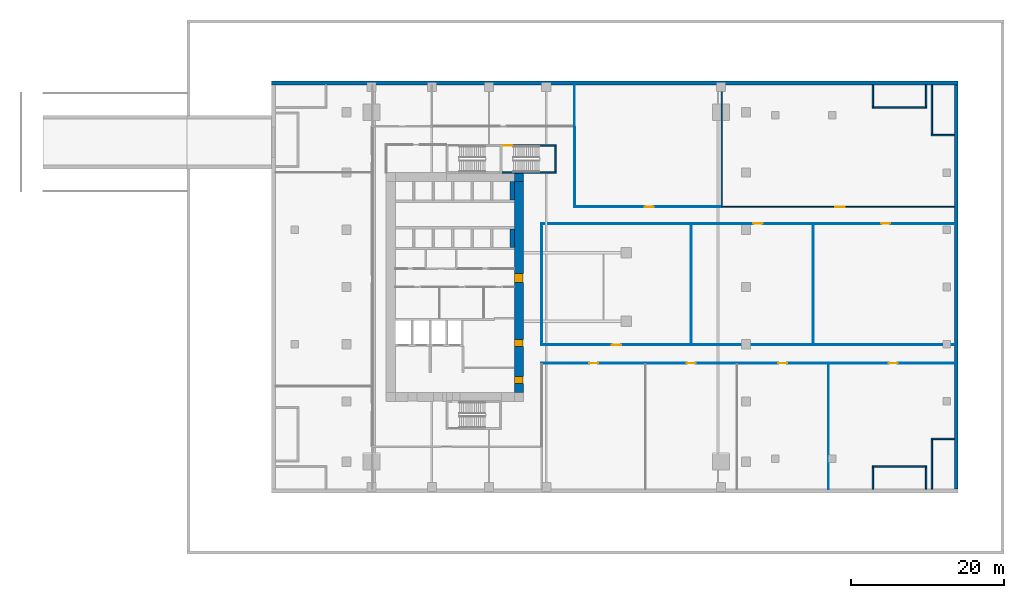
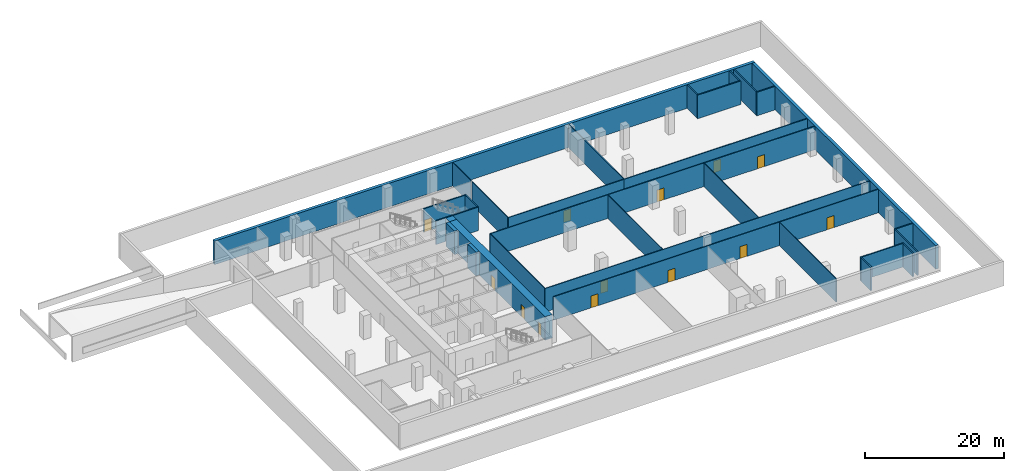
# One storey, part 7 of 11: 31 walls, 13 doors, 13 openings.
"""IFC4 building model written with IfcOpenShell, lengths in metres."""

import ifcopenshell
import ifcopenshell.guid

model = None  # the IFC model being written
_history = None  # IfcOwnerHistory: only IFC2X3 demands one
_inside = {}  # id of a spatial element -> (the spatial element, [elements in it])
_under = {}  # id of a project, library or spatial element -> (it, [spatial elements below it])
_declared = {}  # id of a project -> (the project, [libraries it declares])
_typed = {}  # id of a type object -> (the type object, [elements of that type])
_made_of = {}  # id of a material, layer set ... -> (it, [elements and type objects made of it])


def new_model(schema):
    """Start an empty IFC model of exactly this schema.

    Asked for "IFC4X3", IfcOpenShell would pick the latest addendum, in which some entities
    have other attributes; the version numbers below select the first issue.
    IFC2X3 requires an IfcOwnerHistory on every rooted entity: one is made here for all.
    """
    global model, _history
    if schema == "IFC4X3":
        model = ifcopenshell.file(schema_version=(4, 3, 0, 0))
    else:
        model = ifcopenshell.file(schema=schema)
    _inside.clear()
    _under.clear()
    _declared.clear()
    _typed.clear()
    _made_of.clear()
    _history = None
    if model.schema == "IFC2X3":
        org = make("IfcOrganization", Name="unknown")
        user = make(
            "IfcPersonAndOrganization",
            ThePerson=make("IfcPerson", FamilyName="unknown"),
            TheOrganization=org,
        )
        app = make(
            "IfcApplication",
            ApplicationDeveloper=org,
            Version="unknown",
            ApplicationFullName="unknown",
            ApplicationIdentifier="unknown",
        )
        _history = make(
            "IfcOwnerHistory",
            OwningUser=user,
            OwningApplication=app,
            ChangeAction="ADDED",
            CreationDate=0,
        )
    return model


def make(cls, **values):
    """One entity of the class cls with the attributes given. An attribute that is None is left unset."""
    return model.create_entity(
        cls, **{name: value for name, value in values.items() if value is not None}
    )


def rooted(cls, **values):
    """An entity with a GlobalId (a new one), such as an element, a storey or a relation."""
    return make(cls, GlobalId=ifcopenshell.guid.new(), OwnerHistory=_history, **values)


def si_unit(unit_type, name, prefix=None):
    """IfcSIUnit, for example si_unit("LENGTHUNIT", "METRE", prefix="MILLI")."""
    return make("IfcSIUnit", UnitType=unit_type, Prefix=prefix, Name=name)


def assignment(units):
    """IfcUnitAssignment: the units of a project."""
    return None if units is None else make("IfcUnitAssignment", Units=units)


def point(xyz):
    """IfcCartesianPoint."""
    return None if xyz is None else make("IfcCartesianPoint", Coordinates=xyz)


def direction(xyz):
    """IfcDirection."""
    return None if xyz is None else make("IfcDirection", DirectionRatios=xyz)


def frame(location, z_axis=None, x_axis=None):
    """IfcAxis2Placement3D, a coordinate frame: its origin and axes. An axis left out is left unset."""
    return make(
        "IfcAxis2Placement3D",
        Location=point(location),
        Axis=direction(z_axis),
        RefDirection=direction(x_axis),
    )


def frame_2d(location, x_axis=None):
    """IfcAxis2Placement2D, a coordinate frame in the plane: its origin and x axis."""
    return make(
        "IfcAxis2Placement2D", Location=point(location), RefDirection=direction(x_axis)
    )


def origin():
    """The frame at (0, 0, 0) with its axes left unset."""
    return frame((0.0, 0.0, 0.0))


def place(relative_to, where):
    """IfcLocalPlacement: puts the frame where relative to a parent placement (None: the world)."""
    return make(
        "IfcLocalPlacement", PlacementRelTo=relative_to, RelativePlacement=where
    )


def context(
    kind, dimensions, precision=None, world=None, true_north=None, identifier=None
):
    """IfcGeometricRepresentationContext, for example the 3D "Model" context."""
    return make(
        "IfcGeometricRepresentationContext",
        ContextIdentifier=identifier,
        ContextType=kind,
        CoordinateSpaceDimension=dimensions,
        Precision=precision,
        WorldCoordinateSystem=world,
        TrueNorth=true_north,
    )


def subcontext(parent, identifier, kind, view, scale=None):
    """IfcGeometricRepresentationSubContext, for example "Body" below "Model"."""
    return make(
        "IfcGeometricRepresentationSubContext",
        ContextIdentifier=identifier,
        ContextType=kind,
        ParentContext=parent,
        TargetScale=scale,
        TargetView=view,
    )


def project(units=None, contexts=None):
    """IfcProject with its units and contexts."""
    return rooted(
        "IfcProject",
        Name="project",
        RepresentationContexts=contexts,
        UnitsInContext=assignment(units),
    )


def spatial(cls, under=None, at=None, **own):
    """A site, building, storey or space (cls), placed at a placement, below another one or the project."""
    s = rooted(cls, ObjectPlacement=at, **own)
    if under is not None:
        _under.setdefault(under.id(), (under, []))[1].append(s)
    return s


def profile(cls, at=None, kind="AREA", **sizes):
    """A parametric profile (cls). Its sizes go by their IFC names, for example OverallWidth=200.0."""
    return make(cls, ProfileType=kind, Position=at, **sizes)


def rectangle(**sizes):
    """IfcRectangleProfileDef."""
    return profile("IfcRectangleProfileDef", **sizes)


def extrude(swept, where, along, depth):
    """IfcExtrudedAreaSolid: the profile swept, set in the frame where, extruded along a direction by depth."""
    return make(
        "IfcExtrudedAreaSolid",
        SweptArea=swept,
        Position=where,
        ExtrudedDirection=direction(along),
        Depth=depth,
    )


def shape(context_of_items, identifier, shape_type, items):
    """IfcShapeRepresentation: the items that make up one representation, for example the "Body"."""
    return make(
        "IfcShapeRepresentation",
        ContextOfItems=context_of_items,
        RepresentationIdentifier=identifier,
        RepresentationType=shape_type,
        Items=items,
    )


def source(mapping_origin, context_of_items, identifier, shape_type, items):
    """IfcRepresentationMap: a shape defined once, which mapped items show again and again."""
    return make(
        "IfcRepresentationMap",
        MappingOrigin=mapping_origin,
        MappedRepresentation=shape(context_of_items, identifier, shape_type, items),
    )


def transform(
    local_origin,
    x_axis=None,
    y_axis=None,
    z_axis=None,
    scale=None,
    scale2=None,
    scale3=None,
    uniform=True,
):
    """IfcCartesianTransformationOperator3D, or its non-uniform kind. x_axis, y_axis, z_axis: its Axis1, 2, 3."""
    if uniform:
        return make(
            "IfcCartesianTransformationOperator3D",
            Axis1=direction(x_axis),
            Axis2=direction(y_axis),
            LocalOrigin=point(local_origin),
            Scale=scale,
            Axis3=direction(z_axis),
        )
    return make(
        "IfcCartesianTransformationOperator3DnonUniform",
        Axis1=direction(x_axis),
        Axis2=direction(y_axis),
        LocalOrigin=point(local_origin),
        Scale=scale,
        Axis3=direction(z_axis),
        Scale2=scale2,
        Scale3=scale3,
    )


def mapped(mapping_source, mapping_target):
    """IfcMappedItem: shows the shape of a source again, moved by a transform."""
    return make(
        "IfcMappedItem", MappingSource=mapping_source, MappingTarget=mapping_target
    )


def material(Name=None, Category=None):
    """IfcMaterial."""
    return make("IfcMaterial", Name=Name, Category=Category)


def layer(
    of_material, thickness, ventilated=None, Name=None, Category=None, Priority=None
):
    """IfcMaterialLayer: one layer of a wall or slab, of a material (None: an air gap)."""
    return make(
        "IfcMaterialLayer",
        Material=of_material,
        LayerThickness=thickness,
        IsVentilated=ventilated,
        Name=Name,
        Category=Category,
        Priority=Priority,
    )


def layer_set(layers, Name=None):
    """IfcMaterialLayerSet."""
    return make("IfcMaterialLayerSet", MaterialLayers=layers, LayerSetName=Name)


def made_of(thing, what):
    """Note that an element or type object is made of a material, layer set ...; save() writes the relation."""
    if what is not None:
        _made_of.setdefault(what.id(), (what, []))[1].append(thing)
    return thing


def type_object(cls, material=None, **own):
    """A type object (cls), such as IfcWallType, which elements share."""
    return made_of(rooted(cls, **own), material)


def element(
    cls,
    number,
    at=None,
    inside=None,
    cuts=None,
    type_object=None,
    material=None,
    context=None,
    identifier="Body",
    shape_type=None,
    held_by="IfcProductDefinitionShape",
    body=None,
    shapes=None,
    **own,
):
    """One element of the class cls, such as IfcWall. Its Tag is "e" and its number.

    at: its placement. inside: the storey or other place that contains it. cuts: it is an
    opening in that element (IfcRelVoidsElement). A single representation is given by context,
    identifier, shape_type and body (its items); several are given by shapes. held_by: the class
    of the entity that holds the representations. save() writes the other relations.
    """
    e = rooted(cls, Tag="e%d" % number, ObjectPlacement=at, **own)
    if body is not None:
        shapes = [shape(context, identifier, shape_type, body)]
    if shapes is not None:
        e.Representation = make(held_by, Representations=shapes)
    if inside is not None:
        _inside.setdefault(inside.id(), (inside, []))[1].append(e)
    if cuts is not None:
        rooted(
            "IfcRelVoidsElement", RelatingBuildingElement=cuts, RelatedOpeningElement=e
        )
    if type_object is not None:
        _typed.setdefault(type_object.id(), (type_object, []))[1].append(e)
    return made_of(e, material)


def fill(opening, filler):
    """IfcRelFillsElement: the door or window that sits in an opening."""
    return rooted(
        "IfcRelFillsElement",
        RelatingOpeningElement=opening,
        RelatedBuildingElement=filler,
    )


def aggregate(whole, parts):
    """IfcRelAggregates: a whole, such as a stair, and the parts it consists of."""
    return rooted("IfcRelAggregates", RelatingObject=whole, RelatedObjects=parts)


def save(model, path):
    """Write the relations noted so far, then the file.

    IfcRelAggregates (storeys below a building ...), IfcRelContainedInSpatialStructure (elements
    in a storey), IfcRelDefinesByType, IfcRelAssociatesMaterial and IfcRelDeclares: one each for
    every whole, place, type object, material and project.
    """
    for whole, parts in _under.values():
        aggregate(whole, parts)
    for where, things in _inside.values():
        rooted(
            "IfcRelContainedInSpatialStructure",
            RelatedElements=things,
            RelatingStructure=where,
        )
    for kind, things in _typed.values():
        rooted("IfcRelDefinesByType", RelatedObjects=things, RelatingType=kind)
    for what, things in _made_of.values():
        rooted("IfcRelAssociatesMaterial", RelatedObjects=things, RelatingMaterial=what)
    for by, libraries in _declared.values():
        rooted("IfcRelDeclares", RelatingContext=by, RelatedDefinitions=libraries)
    model.write(path)


model = new_model("IFC4")

# Units and contexts
model_context = context("Model", 3, precision=1e-05, world=origin(), true_north=direction((0.0, 1.0)))
body_context = subcontext(model_context, "Body", "Model", "MODEL_VIEW")
ifc_project = project(units=[si_unit("LENGTHUNIT", "METRE"), si_unit("AREAUNIT", "SQUARE_METRE"), si_unit("VOLUMEUNIT", "CUBIC_METRE"), si_unit("PLANEANGLEUNIT", "RADIAN"), si_unit("MASSUNIT", "GRAM", prefix="KILO")], contexts=[model_context])

# Site, building, storey
site_placement = place(None, origin())
site = spatial("IfcSite", under=ifc_project, at=site_placement, CompositionType="ELEMENT")
building_placement = place(site_placement, origin())
building = spatial("IfcBuilding", under=site, at=building_placement, Name="Khomas Fold Tower", CompositionType="ELEMENT")
storey_placement = place(building_placement, frame((0.0, 0.0, -4.5)))
storey = spatial("IfcBuildingStorey", under=building, at=storey_placement, Name="B1", CompositionType="ELEMENT", Elevation=-4.5)

# Wall
ifc_material_1 = material(Name="Concrete C70/85", Category="concrete")
ifc_layer_1 = layer(ifc_material_1, 1.10009765625)
ifc_layer_set_1 = layer_set([ifc_layer_1], Name="Concrete C70/85")
wall_type_1 = type_object("IfcWallType", Name="Core corner wall 1100", PredefinedType="SHEAR", material=ifc_layer_set_1)
shared_shape_1 = source(origin(), body_context, "Body", "SweptSolid", [
    extrude(rectangle(XDim=1.199951171875, YDim=1.10009765625, at=frame_2d((0.60009765625, 0.0))), origin(), (0.0, 0.0, 1.0), 4.14990234375),
])
wall_1_placement = place(storey_placement, frame((22.800048828125, 41.35009765625, 0.0), z_axis=(0.0, 0.0, 1.0), x_axis=(1.0, 0.0, 0.0)))
element("IfcWall", 1, at=wall_1_placement, inside=storey, type_object=wall_type_1, Name="Core wall CW-L-NE-B2", PredefinedType="SHEAR", context=body_context, shape_type="MappedRepresentation", body=[
    mapped(shared_shape_1, transform((0.0, 0.0, 0.0))),
])

# Wall, openings, doors
ifc_material_2 = material(Name="Concrete C70/85", Category="concrete")
ifc_layer_2 = layer(ifc_material_2, 1.199951171875)
ifc_layer_set_2 = layer_set([ifc_layer_2], Name="Concrete C70/85")
wall_type_2 = type_object("IfcWallType", Name="Core wall 1200", PredefinedType="SHEAR", material=ifc_layer_set_2)
shared_shape_2 = source(origin(), body_context, "Body", "SweptSolid", [
    extrude(rectangle(XDim=27.60009765625, YDim=1.199951171875, at=frame_2d((13.800048828125, 0.0))), origin(), (0.0, 0.0, 1.0), 4.14990234375),
])
wall_2_placement = place(storey_placement, frame((23.39990234375, 13.199951171875, 0.0), z_axis=(0.0, 0.0, 1.0), x_axis=(0.0, 1.0, 0.0)))
wall_2 = element("IfcWall", 2, at=wall_2_placement, inside=storey, type_object=wall_type_2, Name="Core wall CW-L-E-B2", PredefinedType="SHEAR", context=body_context, shape_type="MappedRepresentation", body=[
    mapped(shared_shape_2, transform((0.0, 0.0, 0.0))),
])
shared_shape_3 = source(origin(), body_context, "Body", "SweptSolid", [
    extrude(rectangle(XDim=1.199951171875, YDim=2.10009765625, at=frame_2d((0.60009765625, 1.050048828125))), frame((0.0, 0.60986328125, 0.0), z_axis=(0.0, -1.0, 0.0), x_axis=(1.0, 0.0, 0.0)), (0.0, 0.0, 1.0), 1.219970703125),
])
opening_1_placement = place(wall_2_placement, frame((14.39990234375, 0.0, 0.0)))
opening_1 = element("IfcOpeningElement", 3, at=opening_1_placement, cuts=wall_2, Name="Opening 0001", PredefinedType="OPENING", context=body_context, shape_type="MappedRepresentation", body=[
    mapped(shared_shape_3, transform((0.0, 0.0, 0.0))),
])
shared_shape_4 = source(origin(), body_context, "Body", "SweptSolid", [
    extrude(rectangle(XDim=0.89990234375, YDim=2.10009765625, at=frame_2d((0.449951171875, 1.050048828125))), frame((0.0, 0.60986328125, 0.0), z_axis=(0.0, -1.0, 0.0), x_axis=(1.0, 0.0, 0.0)), (0.0, 0.0, 1.0), 1.219970703125),
])
opening_2_placement = place(wall_2_placement, frame((1.14990234375, 0.0, 0.0)))
opening_2 = element("IfcOpeningElement", 4, at=opening_2_placement, cuts=wall_2, Name="Opening 0008", PredefinedType="OPENING", context=body_context, shape_type="MappedRepresentation", body=[
    mapped(shared_shape_4, transform((0.0, 0.0, 0.0))),
])
opening_3_placement = place(wall_2_placement, frame((6.0, 0.0, 0.0)))
opening_3 = element("IfcOpeningElement", 5, at=opening_3_placement, cuts=wall_2, Name="Opening 0003", PredefinedType="OPENING", context=body_context, shape_type="MappedRepresentation", body=[
    mapped(shared_shape_4, transform((0.0, 0.0, 0.0))),
])
ifc_material_3 = material(Name="Timber door leaf", Category="wood")
door_type_1 = type_object("IfcDoorType", Name="Door 1200x2100 right-hand", OperationType="SINGLE_SWING_RIGHT", PredefinedType="DOOR", material=ifc_material_3)
shared_shape_5 = source(origin(), body_context, "Body", "SweptSolid", [
    extrude(rectangle(XDim=1.199951171875, YDim=2.10009765625, at=frame_2d((0.60009765625, 1.050048828125))), frame((0.0, 0.5498046875, 0.0), z_axis=(0.0, -1.0, 0.0), x_axis=(1.0, 0.0, 0.0)), (0.0, 0.0, 1.0), 1.099853515625),
])
door_1_placement = place(opening_1_placement, origin())
door_1 = element("IfcDoor", 6, at=door_1_placement, inside=storey, type_object=door_type_1, Name="Door", OperationType="SINGLE_SWING_RIGHT", OverallHeight=2.10009765625, OverallWidth=1.199951171875, PredefinedType="DOOR", context=body_context, shape_type="MappedRepresentation", body=[
    mapped(shared_shape_5, transform((0.0, 0.0, 0.0))),
])
fill(opening_1, door_1)
ifc_material_4 = material(Name="Timber door leaf", Category="wood")
door_type_2 = type_object("IfcDoorType", Name="Door 900x2100 right-hand", OperationType="SINGLE_SWING_RIGHT", PredefinedType="DOOR", material=ifc_material_4)
shared_shape_6 = source(origin(), body_context, "Body", "SweptSolid", [
    extrude(rectangle(XDim=0.89990234375, YDim=2.10009765625, at=frame_2d((0.449951171875, 1.050048828125))), frame((0.0, 0.5498046875, 0.0), z_axis=(0.0, -1.0, 0.0), x_axis=(1.0, 0.0, 0.0)), (0.0, 0.0, 1.0), 1.099853515625),
])
door_2_placement = place(opening_2_placement, origin())
door_2 = element("IfcDoor", 7, at=door_2_placement, inside=storey, type_object=door_type_2, Name="Door", OperationType="SINGLE_SWING_RIGHT", OverallHeight=2.10009765625, OverallWidth=0.89990234375, PredefinedType="DOOR", context=body_context, shape_type="MappedRepresentation", body=[
    mapped(shared_shape_6, transform((0.0, 0.0, 0.0))),
])
fill(opening_2, door_2)
ifc_material_5 = material(Name="Steel door leaf", Category="steel")
door_type_3 = type_object("IfcDoorType", Name="Plant room door 900x2100 right-hand", OperationType="SINGLE_SWING_RIGHT", PredefinedType="DOOR", material=ifc_material_5)
door_3_placement = place(opening_3_placement, origin())
door_3 = element("IfcDoor", 8, at=door_3_placement, inside=storey, type_object=door_type_3, Name="Plant room door", OperationType="SINGLE_SWING_RIGHT", OverallHeight=2.10009765625, OverallWidth=0.89990234375, PredefinedType="DOOR", context=body_context, shape_type="MappedRepresentation", body=[
    mapped(shared_shape_6, transform((0.0, 0.0, 0.0))),
])
fill(opening_3, door_3)

# Wall, opening, door
ifc_material_6 = material(Name="Concrete C50/60", Category="concrete")
ifc_layer_3 = layer(ifc_material_6, 0.199951171875)
ifc_layer_set_3 = layer_set([ifc_layer_3], Name="Concrete C50/60")
wall_type_3 = type_object("IfcWallType", Name="Stair wall 200", PredefinedType="SHEAR", material=ifc_layer_set_3)
shared_shape_7 = source(origin(), body_context, "Body", "SweptSolid", [
    extrude(rectangle(XDim=7.10009765625, YDim=0.199951171875, at=frame_2d((3.550048828125, 0.0))), origin(), (0.0, 0.0, 1.0), 4.14990234375),
])
wall_3_placement = place(storey_placement, frame((21.199951171875, 45.550048828125, 0.0), z_axis=(0.0, 0.0, 1.0), x_axis=(1.0, 0.0, 0.0)))
wall_3 = element("IfcWall", 9, at=wall_3_placement, inside=storey, type_object=wall_type_3, Name="Stair wall SW-ST3-N", PredefinedType="SHEAR", context=body_context, shape_type="MappedRepresentation", body=[
    mapped(shared_shape_7, transform((0.0, 0.0, 0.0))),
])
shared_shape_8 = source(origin(), body_context, "Body", "SweptSolid", [
    extrude(rectangle(XDim=1.199951171875, YDim=2.10009765625, at=frame_2d((0.60009765625, 1.050048828125))), frame((0.0, 0.10986328125, 0.0), z_axis=(0.0, -1.0, 0.0), x_axis=(1.0, 0.0, 0.0)), (0.0, 0.0, 1.0), 0.219970703125),
])
opening_4_placement = place(wall_3_placement, frame((0.14990234375, 0.0, 0.0)))
opening_4 = element("IfcOpeningElement", 10, at=opening_4_placement, cuts=wall_3, Name="Opening SD-ST3", PredefinedType="OPENING", context=body_context, shape_type="MappedRepresentation", body=[
    mapped(shared_shape_8, transform((0.0, 0.0, 0.0))),
])
ifc_material_7 = material(Name="Steel door leaf", Category="steel")
door_type_4 = type_object("IfcDoorType", Name="Stair door 1200x2100 left-hand", OperationType="SINGLE_SWING_LEFT", PredefinedType="DOOR", material=ifc_material_7)
shared_shape_9 = source(origin(), body_context, "Body", "SweptSolid", [
    extrude(rectangle(XDim=1.199951171875, YDim=2.10009765625, at=frame_2d((0.60009765625, 1.050048828125))), frame((0.0, 0.02490234375, 0.0), z_axis=(0.0, -1.0, 0.0), x_axis=(1.0, 0.0, 0.0)), (0.0, 0.0, 1.0), 0.050048828125),
])
door_4_placement = place(opening_4_placement, origin())
door_4 = element("IfcDoor", 11, at=door_4_placement, inside=storey, type_object=door_type_4, Name="Stair door", OperationType="SINGLE_SWING_LEFT", OverallHeight=2.10009765625, OverallWidth=1.199951171875, PredefinedType="DOOR", context=body_context, shape_type="MappedRepresentation", body=[
    mapped(shared_shape_9, transform((0.0, 0.0, 0.0))),
])
fill(opening_4, door_4)

# Walls
wall_4_placement = place(storey_placement, frame((21.199951171875, 42.0, 0.0), z_axis=(0.0, 0.0, 1.0), x_axis=(1.0, 0.0, 0.0)))
element("IfcWall", 12, at=wall_4_placement, inside=storey, type_object=wall_type_3, Name="Stair wall SW-ST3-S", PredefinedType="SHEAR", context=body_context, shape_type="MappedRepresentation", body=[
    mapped(shared_shape_7, transform((0.0, 0.0, 0.0))),
])
shared_shape_10 = source(origin(), body_context, "Body", "SweptSolid", [
    extrude(rectangle(XDim=3.349853515625, YDim=0.199951171875, at=frame_2d((1.6748046875, 0.0))), origin(), (0.0, 0.0, 1.0), 4.14990234375),
])
wall_5_placement = place(storey_placement, frame((28.199951171875, 42.10009765625, 0.0), z_axis=(0.0, 0.0, 1.0), x_axis=(0.0, 1.0, 0.0)))
element("IfcWall", 13, at=wall_5_placement, inside=storey, type_object=wall_type_3, Name="Stair wall SW-ST3-E", PredefinedType="SHEAR", context=body_context, shape_type="MappedRepresentation", body=[
    mapped(shared_shape_10, transform((0.0, 0.0, 0.0))),
])
ifc_material_8 = material(Name="Concrete C50/60", Category="concrete")
ifc_layer_4 = layer(ifc_material_8, 0.550048828125)
ifc_layer_set_4 = layer_set([ifc_layer_4], Name="Concrete C50/60")
wall_type_4 = type_object("IfcWallType", Name="Shaft wall 550", PredefinedType="STANDARD", material=ifc_layer_set_4)
shared_shape_11 = source(origin(), body_context, "Body", "SweptSolid", [
    extrude(rectangle(XDim=2.400146484375, YDim=0.550048828125, at=frame_2d((1.2001953125, 0.0))), origin(), (0.0, 0.0, 1.0), 4.14990234375),
])
for number, where, z_axis, x_axis, name in (
    (14, (22.52490234375, 38.39990234375, 0.0), (0.0, 0.0, 1.0), (0.0, 1.0, 0.0), "Core wall SW-LRN-PE"),
    (15, (22.52490234375, 32.199951171875, 0.0), (0.0, 0.0, 1.0), (0.0, 1.0, 0.0), "Core wall SW-LRS-PE"),
):
    element("IfcWall", number, at=place(storey_placement, frame(where, z_axis=z_axis, x_axis=x_axis)), inside=storey, type_object=wall_type_4, Name=name, PredefinedType="STANDARD", context=body_context, shape_type="MappedRepresentation", body=[
        mapped(shared_shape_11, transform((0.0, 0.0, 0.0))),
    ])
ifc_material_9 = material(Name="Concrete C40/50", Category="concrete")
ifc_layer_5 = layer(ifc_material_9, 0.5)
ifc_layer_set_5 = layer_set([ifc_layer_5], Name="Concrete C40/50")
wall_type_5 = type_object("IfcWallType", Name="Basement wall 500", PredefinedType="STANDARD", material=ifc_layer_set_5)
shared_shape_12 = source(origin(), body_context, "Body", "SweptSolid", [
    extrude(rectangle(XDim=90.0, YDim=0.5, at=frame_2d((45.0, 0.0))), origin(), (0.0, 0.0, 1.0), 4.14990234375),
])
wall_6_placement = place(storey_placement, frame((-9.0, 53.75, 0.0), z_axis=(0.0, 0.0, 1.0), x_axis=(1.0, 0.0, 0.0)))
element("IfcWall", 16, at=wall_6_placement, inside=storey, type_object=wall_type_5, Name="Basement wall N", PredefinedType="STANDARD", context=body_context, shape_type="MappedRepresentation", body=[
    mapped(shared_shape_12, transform((0.0, 0.0, 0.0))),
])
shared_shape_13 = source(origin(), body_context, "Body", "SweptSolid", [
    extrude(rectangle(XDim=53.0, YDim=0.5, at=frame_2d((26.5, 0.0))), origin(), (0.0, 0.0, 1.0), 4.14990234375),
])
wall_7_placement = place(storey_placement, frame((80.75, 0.5, 0.0), z_axis=(0.0, 0.0, 1.0), x_axis=(0.0, 1.0, 0.0)))
element("IfcWall", 17, at=wall_7_placement, inside=storey, type_object=wall_type_5, Name="Basement wall E", PredefinedType="STANDARD", context=body_context, shape_type="MappedRepresentation", body=[
    mapped(shared_shape_13, transform((0.0, 0.0, 0.0))),
])
ifc_material_10 = material(Name="Plasterboard partition")
ifc_layer_6 = layer(ifc_material_10, 0.10009765625)
ifc_layer_set_6 = layer_set([ifc_layer_6], Name="Plasterboard partition")
wall_type_6 = type_object("IfcWallType", Name="Partition PW1 100", PredefinedType="PARTITIONING", material=ifc_layer_set_6)
shared_shape_14 = source(origin(), body_context, "Body", "SweptSolid", [
    extrude(rectangle(XDim=16.39990234375, YDim=0.10009765625, at=frame_2d((8.199951171875, 0.0))), origin(), (0.0, 0.0, 1.0), 4.14990234375),
])
wall_8_placement = place(storey_placement, frame((64.0, 0.5, 0.0), z_axis=(0.0, 0.0, 1.0), x_axis=(0.0, 1.0, 0.0)))
element("IfcWall", 18, at=wall_8_placement, inside=storey, type_object=wall_type_6, Name="Partition", PredefinedType="PARTITIONING", context=body_context, shape_type="MappedRepresentation", body=[
    mapped(shared_shape_14, transform((0.0, 0.0, 0.0))),
])

# Wall, openings, doors
ifc_material_11 = material(Name="Plasterboard partition")
ifc_layer_7 = layer(ifc_material_11, 0.125)
ifc_layer_set_7 = layer_set([ifc_layer_7], Name="Plasterboard partition")
wall_type_7 = type_object("IfcWallType", Name="Partition PW2 125", PredefinedType="PARTITIONING", material=ifc_layer_set_7)
shared_shape_15 = source(origin(), body_context, "Body", "SweptSolid", [
    extrude(rectangle(XDim=54.14990234375, YDim=0.125, at=frame_2d((27.074951171875, 0.0))), origin(), (0.0, 0.0, 1.0), 4.14990234375),
])
wall_9_placement = place(storey_placement, frame((26.35009765625, 17.0, 0.0), z_axis=(0.0, 0.0, 1.0), x_axis=(1.0, 0.0, 0.0)))
wall_9 = element("IfcWall", 19, at=wall_9_placement, inside=storey, type_object=wall_type_7, Name="Partition", PredefinedType="PARTITIONING", context=body_context, shape_type="MappedRepresentation", body=[
    mapped(shared_shape_15, transform((0.0, 0.0, 0.0))),
])
shared_shape_16 = source(origin(), body_context, "Body", "SweptSolid", [
    extrude(rectangle(XDim=1.199951171875, YDim=2.10009765625, at=frame_2d((0.60009765625, 1.050048828125))), frame((0.0, 0.072509765625, 0.0), z_axis=(0.0, -1.0, 0.0), x_axis=(1.0, 0.0, 0.0)), (0.0, 0.0, 1.0), 0.14501953125),
])
opening_5_placement = place(wall_9_placement, frame((6.25, 0.0, 0.0)))
opening_5 = element("IfcOpeningElement", 20, at=opening_5_placement, cuts=wall_9, Name="Opening 0013", PredefinedType="OPENING", context=body_context, shape_type="MappedRepresentation", body=[
    mapped(shared_shape_16, transform((0.0, 0.0, 0.0))),
])
opening_6_placement = place(wall_9_placement, frame((19.050048828125, 0.0, 0.0)))
opening_6 = element("IfcOpeningElement", 21, at=opening_6_placement, cuts=wall_9, Name="Opening 0001", PredefinedType="OPENING", context=body_context, shape_type="MappedRepresentation", body=[
    mapped(shared_shape_16, transform((0.0, 0.0, 0.0))),
])
opening_7_placement = place(wall_9_placement, frame((31.050048828125, 0.0, 0.0)))
opening_7 = element("IfcOpeningElement", 22, at=opening_7_placement, cuts=wall_9, Name="Opening 0013", PredefinedType="OPENING", context=body_context, shape_type="MappedRepresentation", body=[
    mapped(shared_shape_16, transform((0.0, 0.0, 0.0))),
])
opening_8_placement = place(wall_9_placement, frame((45.550048828125, 0.0, 0.0)))
opening_8 = element("IfcOpeningElement", 23, at=opening_8_placement, cuts=wall_9, Name="Opening 0001", PredefinedType="OPENING", context=body_context, shape_type="MappedRepresentation", body=[
    mapped(shared_shape_16, transform((0.0, 0.0, 0.0))),
])
ifc_material_12 = material(Name="Timber door leaf", Category="wood")
door_type_5 = type_object("IfcDoorType", Name="Door 1200x2100 left-hand", OperationType="SINGLE_SWING_LEFT", PredefinedType="DOOR", material=ifc_material_12)
door_5_placement = place(opening_5_placement, origin())
door_5 = element("IfcDoor", 24, at=door_5_placement, inside=storey, type_object=door_type_5, Name="Door", OperationType="SINGLE_SWING_LEFT", OverallHeight=2.10009765625, OverallWidth=1.199951171875, PredefinedType="DOOR", context=body_context, shape_type="MappedRepresentation", body=[
    mapped(shared_shape_9, transform((0.0, 0.0, 0.0))),
])
fill(opening_5, door_5)
door_6_placement = place(opening_6_placement, origin())
door_6 = element("IfcDoor", 25, at=door_6_placement, inside=storey, type_object=door_type_1, Name="Door", OperationType="SINGLE_SWING_RIGHT", OverallHeight=2.10009765625, OverallWidth=1.199951171875, PredefinedType="DOOR", context=body_context, shape_type="MappedRepresentation", body=[
    mapped(shared_shape_9, transform((0.0, 0.0, 0.0))),
])
fill(opening_6, door_6)
door_7_placement = place(opening_7_placement, origin())
door_7 = element("IfcDoor", 26, at=door_7_placement, inside=storey, type_object=door_type_5, Name="Door", OperationType="SINGLE_SWING_LEFT", OverallHeight=2.10009765625, OverallWidth=1.199951171875, PredefinedType="DOOR", context=body_context, shape_type="MappedRepresentation", body=[
    mapped(shared_shape_9, transform((0.0, 0.0, 0.0))),
])
fill(opening_7, door_7)
door_8_placement = place(opening_8_placement, origin())
door_8 = element("IfcDoor", 27, at=door_8_placement, inside=storey, type_object=door_type_1, Name="Door", OperationType="SINGLE_SWING_RIGHT", OverallHeight=2.10009765625, OverallWidth=1.199951171875, PredefinedType="DOOR", context=body_context, shape_type="MappedRepresentation", body=[
    mapped(shared_shape_9, transform((0.0, 0.0, 0.0))),
])
fill(opening_8, door_8)

# Wall, opening, door
wall_10_placement = place(storey_placement, frame((26.35009765625, 19.39990234375, 0.0), z_axis=(0.0, 0.0, 1.0), x_axis=(1.0, 0.0, 0.0)))
wall_10 = element("IfcWall", 28, at=wall_10_placement, inside=storey, type_object=wall_type_7, Name="Partition", PredefinedType="PARTITIONING", context=body_context, shape_type="MappedRepresentation", body=[
    mapped(shared_shape_15, transform((0.0, 0.0, 0.0))),
])
opening_9_placement = place(wall_10_placement, frame((9.25, 0.0, 0.0)))
opening_9 = element("IfcOpeningElement", 29, at=opening_9_placement, cuts=wall_10, Name="Opening 0001", PredefinedType="OPENING", context=body_context, shape_type="MappedRepresentation", body=[
    mapped(shared_shape_16, transform((0.0, 0.0, 0.0))),
])
door_9_placement = place(opening_9_placement, origin())
door_9 = element("IfcDoor", 30, at=door_9_placement, inside=storey, type_object=door_type_1, Name="Door", OperationType="SINGLE_SWING_RIGHT", OverallHeight=2.10009765625, OverallWidth=1.199951171875, PredefinedType="DOOR", context=body_context, shape_type="MappedRepresentation", body=[
    mapped(shared_shape_9, transform((0.0, 0.0, 0.0))),
])
fill(opening_9, door_9)

# Wall, openings, doors
wall_11_placement = place(storey_placement, frame((26.35009765625, 35.300048828125, 0.0), z_axis=(0.0, 0.0, 1.0), x_axis=(1.0, 0.0, 0.0)))
wall_11 = element("IfcWall", 31, at=wall_11_placement, inside=storey, type_object=wall_type_7, Name="Partition", PredefinedType="PARTITIONING", context=body_context, shape_type="MappedRepresentation", body=[
    mapped(shared_shape_15, transform((0.0, 0.0, 0.0))),
])
opening_10_placement = place(wall_11_placement, frame((27.800048828125, 0.0, 0.0)))
opening_10 = element("IfcOpeningElement", 32, at=opening_10_placement, cuts=wall_11, Name="Opening 0001", PredefinedType="OPENING", context=body_context, shape_type="MappedRepresentation", body=[
    mapped(shared_shape_16, transform((0.0, 0.0, 0.0))),
])
opening_11_placement = place(wall_11_placement, frame((44.550048828125, 0.0, 0.0)))
opening_11 = element("IfcOpeningElement", 33, at=opening_11_placement, cuts=wall_11, Name="Opening 0013", PredefinedType="OPENING", context=body_context, shape_type="MappedRepresentation", body=[
    mapped(shared_shape_16, transform((0.0, 0.0, 0.0))),
])
door_10_placement = place(opening_10_placement, origin())
door_10 = element("IfcDoor", 34, at=door_10_placement, inside=storey, type_object=door_type_1, Name="Door", OperationType="SINGLE_SWING_RIGHT", OverallHeight=2.10009765625, OverallWidth=1.199951171875, PredefinedType="DOOR", context=body_context, shape_type="MappedRepresentation", body=[
    mapped(shared_shape_9, transform((0.0, 0.0, 0.0))),
])
fill(opening_10, door_10)
door_11_placement = place(opening_11_placement, origin())
door_11 = element("IfcDoor", 35, at=door_11_placement, inside=storey, type_object=door_type_5, Name="Door", OperationType="SINGLE_SWING_LEFT", OverallHeight=2.10009765625, OverallWidth=1.199951171875, PredefinedType="DOOR", context=body_context, shape_type="MappedRepresentation", body=[
    mapped(shared_shape_9, transform((0.0, 0.0, 0.0))),
])
fill(opening_11, door_11)

# Walls
shared_shape_17 = source(origin(), body_context, "Body", "SweptSolid", [
    extrude(rectangle(XDim=15.699951171875, YDim=0.125, at=frame_2d((7.85009765625, 0.0))), origin(), (0.0, 0.0, 1.0), 4.14990234375),
])
wall_12_placement = place(storey_placement, frame((26.39990234375, 19.5, 0.0), z_axis=(0.0, 0.0, 1.0), x_axis=(0.0, 1.0, 0.0)))
element("IfcWall", 36, at=wall_12_placement, inside=storey, type_object=wall_type_7, Name="Partition", PredefinedType="PARTITIONING", context=body_context, shape_type="MappedRepresentation", body=[
    mapped(shared_shape_17, transform((0.0, 0.0, 0.0))),
])
shared_shape_18 = source(origin(), body_context, "Body", "SweptSolid", [
    extrude(rectangle(XDim=15.699951171875, YDim=0.10009765625, at=frame_2d((7.85009765625, 0.0))), origin(), (0.0, 0.0, 1.0), 4.14990234375),
])
for number, where, z_axis, x_axis, name in (
    (37, (46.0, 19.5, 0.0), (0.0, 0.0, 1.0), (0.0, 1.0, 0.0), "Partition"),
    (38, (62.0, 19.5, 0.0), (0.0, 0.0, 1.0), (0.0, 1.0, 0.0), "Partition"),
):
    element("IfcWall", number, at=place(storey_placement, frame(where, z_axis=z_axis, x_axis=x_axis)), inside=storey, type_object=wall_type_6, Name=name, PredefinedType="PARTITIONING", context=body_context, shape_type="MappedRepresentation", body=[
        mapped(shared_shape_18, transform((0.0, 0.0, 0.0))),
    ])

# Wall, opening, door
shared_shape_19 = source(origin(), body_context, "Body", "SweptSolid", [
    extrude(rectangle(XDim=19.300048828125, YDim=0.125, at=frame_2d((9.64990234375, 0.0))), origin(), (0.0, 0.0, 1.0), 4.14990234375),
])
wall_13_placement = place(storey_placement, frame((30.64990234375, 37.5, 0.0), z_axis=(0.0, 0.0, 1.0), x_axis=(1.0, 0.0, 0.0)))
wall_13 = element("IfcWall", 39, at=wall_13_placement, inside=storey, type_object=wall_type_7, Name="Partition", PredefinedType="PARTITIONING", context=body_context, shape_type="MappedRepresentation", body=[
    mapped(shared_shape_19, transform((0.0, 0.0, 0.0))),
])
opening_12_placement = place(wall_13_placement, frame((9.25, 0.0, 0.0)))
opening_12 = element("IfcOpeningElement", 40, at=opening_12_placement, cuts=wall_13, Name="Opening 0013", PredefinedType="OPENING", context=body_context, shape_type="MappedRepresentation", body=[
    mapped(shared_shape_16, transform((0.0, 0.0, 0.0))),
])
door_12_placement = place(opening_12_placement, origin())
door_12 = element("IfcDoor", 41, at=door_12_placement, inside=storey, type_object=door_type_5, Name="Door", OperationType="SINGLE_SWING_LEFT", OverallHeight=2.10009765625, OverallWidth=1.199951171875, PredefinedType="DOOR", context=body_context, shape_type="MappedRepresentation", body=[
    mapped(shared_shape_9, transform((0.0, 0.0, 0.0))),
])
fill(opening_12, door_12)

ifc_material_13 = material(Name="Plasterboard fire partition")
ifc_layer_8 = layer(ifc_material_13, 0.14990234375)
ifc_layer_set_8 = layer_set([ifc_layer_8], Name="Plasterboard fire partition")
wall_type_8 = type_object("IfcWallType", Name="Plant room wall PW3 150", PredefinedType="PARTITIONING", material=ifc_layer_set_8)
shared_shape_20 = source(origin(), body_context, "Body", "SweptSolid", [
    extrude(rectangle(XDim=30.550048828125, YDim=0.14990234375, at=frame_2d((15.27490234375, 0.0))), origin(), (0.0, 0.0, 1.0), 4.14990234375),
])
wall_14_placement = place(storey_placement, frame((49.949951171875, 37.5, 0.0), z_axis=(0.0, 0.0, 1.0), x_axis=(1.0, 0.0, 0.0)))
wall_14 = element("IfcWall", 42, at=wall_14_placement, inside=storey, type_object=wall_type_8, Name="Plant room wall", PredefinedType="PARTITIONING", context=body_context, shape_type="MappedRepresentation", body=[
    mapped(shared_shape_20, transform((0.0, 0.0, 0.0))),
])
shared_shape_21 = source(origin(), body_context, "Body", "SweptSolid", [
    extrude(rectangle(XDim=1.199951171875, YDim=2.10009765625, at=frame_2d((0.60009765625, 1.050048828125))), frame((0.0, 0.0849609375, 0.0), z_axis=(0.0, -1.0, 0.0), x_axis=(1.0, 0.0, 0.0)), (0.0, 0.0, 1.0), 0.169921875),
])
opening_13_placement = place(wall_14_placement, frame((14.949951171875, 0.0, 0.0)))
opening_13 = element("IfcOpeningElement", 43, at=opening_13_placement, cuts=wall_14, Name="Opening 0011", PredefinedType="OPENING", context=body_context, shape_type="MappedRepresentation", body=[
    mapped(shared_shape_21, transform((0.0, 0.0, 0.0))),
])
ifc_material_14 = material(Name="Steel door leaf", Category="steel")
door_type_6 = type_object("IfcDoorType", Name="Plant room door 1200x2100 right-hand", OperationType="SINGLE_SWING_RIGHT", PredefinedType="DOOR", material=ifc_material_14)
door_13_placement = place(opening_13_placement, origin())
door_13 = element("IfcDoor", 44, at=door_13_placement, inside=storey, type_object=door_type_6, Name="Plant room door", OperationType="SINGLE_SWING_RIGHT", OverallHeight=2.10009765625, OverallWidth=1.199951171875, PredefinedType="DOOR", context=body_context, shape_type="MappedRepresentation", body=[
    mapped(shared_shape_9, transform((0.0, 0.0, 0.0))),
])
fill(opening_13, door_13)

# Walls
shared_shape_22 = source(origin(), body_context, "Body", "SweptSolid", [
    extrude(rectangle(XDim=10.349853515625, YDim=0.125, at=frame_2d((5.1748046875, 0.0))), origin(), (0.0, 0.0, 1.0), 4.14990234375),
])
wall_15_placement = place(storey_placement, frame((30.699951171875, 37.60009765625, 0.0), z_axis=(0.0, 0.0, 1.0), x_axis=(0.0, 1.0, 0.0)))
element("IfcWall", 45, at=wall_15_placement, inside=storey, type_object=wall_type_7, Name="Partition", PredefinedType="PARTITIONING", context=body_context, shape_type="MappedRepresentation", body=[
    mapped(shared_shape_22, transform((0.0, 0.0, 0.0))),
])
shared_shape_23 = source(origin(), body_context, "Body", "SweptSolid", [
    extrude(rectangle(XDim=15.89990234375, YDim=0.14990234375, at=frame_2d((7.949951171875, 0.0))), origin(), (0.0, 0.0, 1.0), 4.14990234375),
])
wall_16_placement = place(storey_placement, frame((50.0, 37.60009765625, 0.0), z_axis=(0.0, 0.0, 1.0), x_axis=(0.0, 1.0, 0.0)))
element("IfcWall", 46, at=wall_16_placement, inside=storey, type_object=wall_type_8, Name="Plant room wall", PredefinedType="PARTITIONING", context=body_context, shape_type="MappedRepresentation", body=[
    mapped(shared_shape_23, transform((0.0, 0.0, 0.0))),
])
shared_shape_24 = source(origin(), body_context, "Body", "SweptSolid", [
    extrude(rectangle(XDim=5.35009765625, YDim=0.10009765625, at=frame_2d((2.675048828125, 0.0))), origin(), (0.0, 0.0, 1.0), 4.14990234375),
])
wall_17_placement = place(storey_placement, frame((30.699951171875, 48.14990234375, 0.0), z_axis=(0.0, 0.0, 1.0), x_axis=(0.0, 1.0, 0.0)))
element("IfcWall", 47, at=wall_17_placement, inside=storey, type_object=wall_type_6, Name="Partition", PredefinedType="PARTITIONING", context=body_context, shape_type="MappedRepresentation", body=[
    mapped(shared_shape_24, transform((0.0, 0.0, 0.0))),
])
ifc_material_15 = material(Name="Concrete C30/37", Category="concrete")
ifc_layer_9 = layer(ifc_material_15, 0.199951171875)
ifc_layer_set_9 = layer_set([ifc_layer_9], Name="Concrete C30/37")
wall_type_9 = type_object("IfcWallType", Name="Stair wall PW5 200", PredefinedType="PARTITIONING", material=ifc_layer_set_9)
shared_shape_25 = source(origin(), body_context, "Body", "SweptSolid", [
    extrude(rectangle(XDim=2.85009765625, YDim=0.199951171875, at=frame_2d((1.425048828125, 0.0))), origin(), (0.0, 0.0, 1.0), 4.14990234375),
])
for number, where, z_axis, x_axis, name in (
    (48, (69.800048828125, 0.5, 0.0), (0.0, 0.0, 1.0), (0.0, 1.0, 0.0), "Stair wall"),
    (49, (76.800048828125, 0.5, 0.0), (0.0, 0.0, 1.0), (0.0, 1.0, 0.0), "Stair wall"),
    (50, (69.800048828125, 50.64990234375, 0.0), (0.0, 0.0, 1.0), (0.0, 1.0, 0.0), "Stair wall"),
    (51, (76.800048828125, 50.64990234375, 0.0), (0.0, 0.0, 1.0), (0.0, 1.0, 0.0), "Stair wall"),
):
    element("IfcWall", number, at=place(storey_placement, frame(where, z_axis=z_axis, x_axis=x_axis)), inside=storey, type_object=wall_type_9, Name=name, PredefinedType="PARTITIONING", context=body_context, shape_type="MappedRepresentation", body=[
        mapped(shared_shape_25, transform((0.0, 0.0, 0.0))),
    ])
shared_shape_26 = source(origin(), body_context, "Body", "SweptSolid", [
    extrude(rectangle(XDim=3.050048828125, YDim=0.199951171875, at=frame_2d((1.52490234375, 0.0))), origin(), (0.0, 0.0, 1.0), 4.14990234375),
])
for number, where, z_axis, x_axis, name in (
    (52, (77.449951171875, 7.10009765625, 0.0), (0.0, 0.0, 1.0), (1.0, 0.0, 0.0), "Stair wall"),
    (53, (77.449951171875, 46.89990234375, 0.0), (0.0, 0.0, 1.0), (1.0, 0.0, 0.0), "Stair wall"),
):
    element("IfcWall", number, at=place(storey_placement, frame(where, z_axis=z_axis, x_axis=x_axis)), inside=storey, type_object=wall_type_9, Name=name, PredefinedType="PARTITIONING", context=body_context, shape_type="MappedRepresentation", body=[
        mapped(shared_shape_26, transform((0.0, 0.0, 0.0))),
    ])
shared_shape_27 = source(origin(), body_context, "Body", "SweptSolid", [
    extrude(rectangle(XDim=7.199951171875, YDim=0.199951171875, at=frame_2d((3.60009765625, 0.0))), origin(), (0.0, 0.0, 1.0), 4.14990234375),
])
for number, where, z_axis, x_axis, name in (
    (54, (69.699951171875, 3.449951171875, 0.0), (0.0, 0.0, 1.0), (1.0, 0.0, 0.0), "Stair wall"),
    (55, (69.699951171875, 50.550048828125, 0.0), (0.0, 0.0, 1.0), (1.0, 0.0, 0.0), "Stair wall"),
):
    element("IfcWall", number, at=place(storey_placement, frame(where, z_axis=z_axis, x_axis=x_axis)), inside=storey, type_object=wall_type_9, Name=name, PredefinedType="PARTITIONING", context=body_context, shape_type="MappedRepresentation", body=[
        mapped(shared_shape_27, transform((0.0, 0.0, 0.0))),
    ])
shared_shape_28 = source(origin(), body_context, "Body", "SweptSolid", [
    extrude(rectangle(XDim=6.5, YDim=0.199951171875, at=frame_2d((3.25, 0.0))), origin(), (0.0, 0.0, 1.0), 4.14990234375),
])
for number, where, z_axis, x_axis, name in (
    (56, (77.550048828125, 0.5, 0.0), (0.0, 0.0, 1.0), (0.0, 1.0, 0.0), "Stair wall"),
    (57, (77.550048828125, 47.0, 0.0), (0.0, 0.0, 1.0), (0.0, 1.0, 0.0), "Stair wall"),
):
    element("IfcWall", number, at=place(storey_placement, frame(where, z_axis=z_axis, x_axis=x_axis)), inside=storey, type_object=wall_type_9, Name=name, PredefinedType="PARTITIONING", context=body_context, shape_type="MappedRepresentation", body=[
        mapped(shared_shape_28, transform((0.0, 0.0, 0.0))),
    ])

save(model, "model.ifc")
